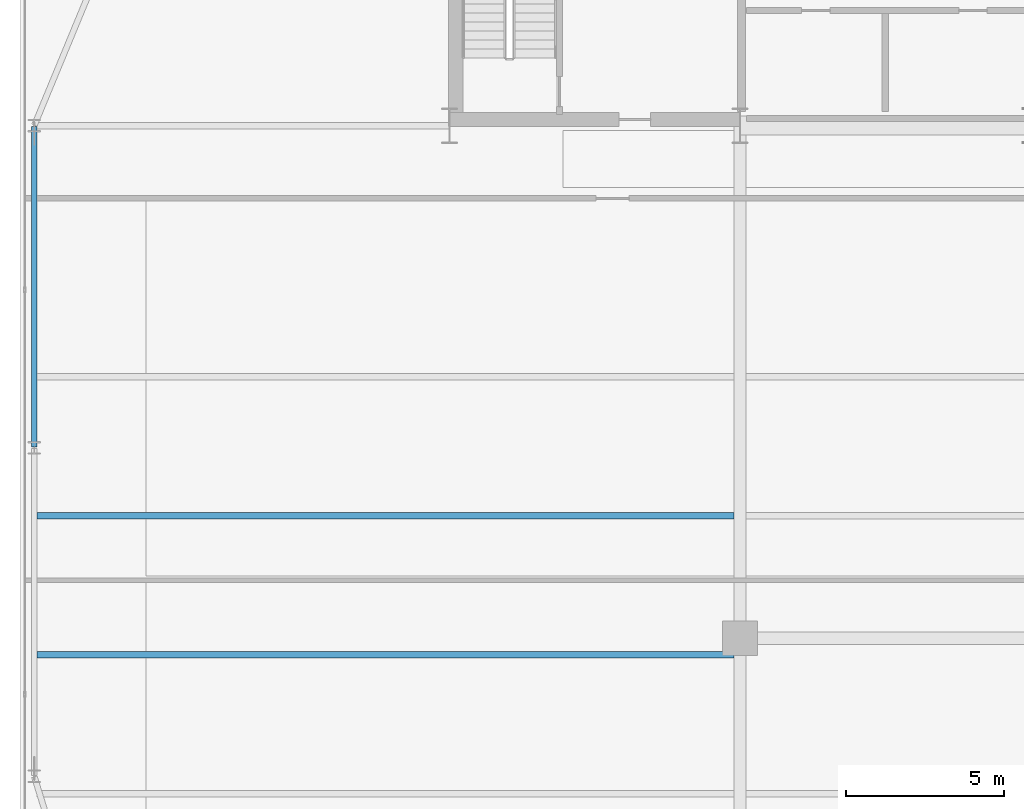
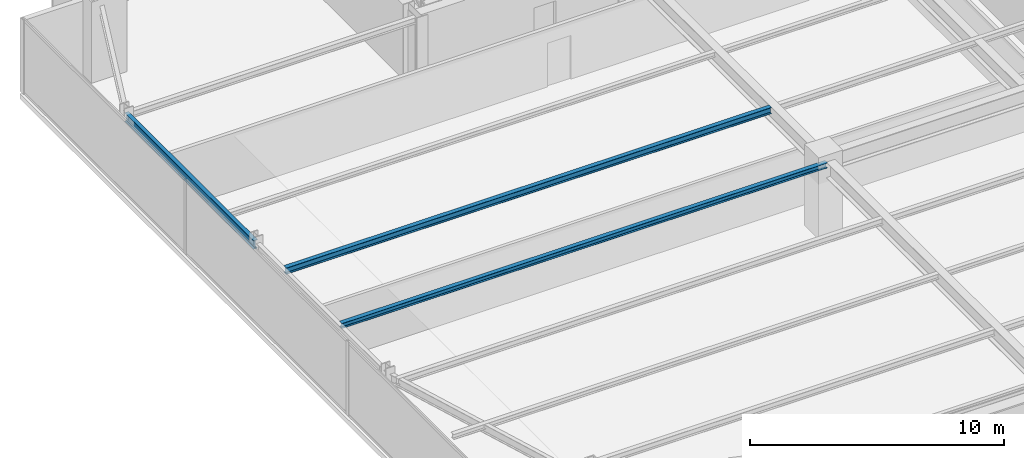
# One storey, part 9 of 32: 3 beams.
"""IFC4 building model written with IfcOpenShell, lengths in metres."""

from ifc_helpers import new_model, si_unit, direction, frame, origin, origin_2d, place, context, subcontext, project, spatial, i_section, extrude, source, transform, mapped, material, material_profile, profile_set, type_object, type_shapes, element, save


model = new_model("IFC4")

# Units and contexts
model_context = context("Model", 3, precision=1e-05, world=origin(), true_north=direction((0.0, 1.0)))
body_context = subcontext(model_context, "Body", "Model", "MODEL_VIEW")
ifc_project = project(units=[si_unit("LENGTHUNIT", "METRE"), si_unit("AREAUNIT", "SQUARE_METRE"), si_unit("VOLUMEUNIT", "CUBIC_METRE"), si_unit("PLANEANGLEUNIT", "RADIAN"), si_unit("MASSUNIT", "GRAM", prefix="KILO")], contexts=[model_context])

# Site, building, storey
site_placement = place(None, origin())
site = spatial("IfcSite", under=ifc_project, at=site_placement, CompositionType="ELEMENT")
building_placement = place(site_placement, origin())
building = spatial("IfcBuilding", under=site, at=building_placement, Name="Varnel Quay Broadcast Tower", CompositionType="ELEMENT")
storey_placement = place(building_placement, frame((0.0, 0.0, 78.300048828125)))
storey = spatial("IfcBuildingStorey", under=building, at=storey_placement, Name="L18", CompositionType="ELEMENT", Elevation=78.300048828125)

# Beams
ifc_material = material(Name="Structural Steel CSA G40.21 350W", Category="steel")
ifc_material_profile_1 = material_profile(ifc_material, i_section(OverallWidth=0.180908203125, OverallDepth=0.4169921875, WebThickness=0.010986328125, FlangeThickness=0.018310546875, FilletRadius=0.011962890625, at=origin_2d()), Name="W410X85")
ifc_profile_set_1 = profile_set([ifc_material_profile_1], Name="Structural Steel CSA G40.21 350W")
beam_type_1 = type_object("IfcBeamType", Name="Beam_W410X85", PredefinedType="SPANDREL", material=ifc_profile_set_1)
shared_shape_1 = source(origin(), body_context, "Body", "SweptSolid", [
    extrude(i_section(OverallWidth=0.180908203125, OverallDepth=0.4169921875, WebThickness=0.010986328125, FlangeThickness=0.018310546875, FilletRadius=0.011962890625, at=origin_2d()), origin(), (0.0, 0.0, 1.0), 10.16015625),
])
type_shapes(beam_type_1, [shared_shape_1])
beam_1_placement = place(storey_placement, frame((2.449951171875, 25.419921875, 3.371337890625), z_axis=(0.0, 1.0, 0.0), x_axis=(-1.0, 0.0, 0.0)))
element("IfcBeam", 1, at=beam_1_placement, inside=storey, type_object=beam_type_1, Name="L18 West Spandrel TC-W2-TC-W3", PredefinedType="SPANDREL", context=body_context, shape_type="MappedRepresentation", body=[
    mapped(shared_shape_1, transform((0.0, 0.0, 0.0), x_axis=(1.0, 0.0, 0.0), y_axis=(0.0, 1.0, 0.0), z_axis=(0.0, 0.0, 1.0), scale=1.0)),
])
ifc_material_profile_2 = material_profile(ifc_material, i_section(OverallWidth=0.202880859375, OverallDepth=0.302978515625, WebThickness=0.007568359375, FlangeThickness=0.01318359375, FilletRadius=0.011962890625, at=origin_2d()), Name="W310X60")
ifc_profile_set_2 = profile_set([ifc_material_profile_2], Name="Structural Steel CSA G40.21 350W")
beam_type_2 = type_object("IfcBeamType", Name="Beam_W310X60", PredefinedType="JOIST", material=ifc_profile_set_2)
shared_shape_2 = source(origin(), body_context, "Body", "SweptSolid", [
    extrude(i_section(OverallWidth=0.202880859375, OverallDepth=0.302978515625, WebThickness=0.007568359375, FlangeThickness=0.01318359375, FilletRadius=0.011962890625, at=origin_2d()), origin(), (0.0, 0.0, 1.0), 22.0791015625),
])
type_shapes(beam_type_2, [shared_shape_2])
beam_2_placement = place(storey_placement, frame((2.535400390625, 23.25, 3.428466796875), z_axis=(1.0, 0.0, 0.0), x_axis=(0.0, 1.0, 0.0)))
element("IfcBeam", 2, at=beam_2_placement, inside=storey, type_object=beam_type_2, Name="L18 West Floor Joist 5", PredefinedType="JOIST", context=body_context, shape_type="MappedRepresentation", body=[
    mapped(shared_shape_2, transform((0.0, 0.0, 0.0), x_axis=(1.0, 0.0, 0.0), y_axis=(0.0, 1.0, 0.0), z_axis=(0.0, 0.0, 1.0), scale=1.0)),
])
ifc_material_profile_3 = material_profile(ifc_material, i_section(OverallWidth=0.201904296875, OverallDepth=0.2470703125, WebThickness=0.00732421875, FlangeThickness=0.010986328125, FilletRadius=0.010986328125, at=origin_2d()), Name="W250X49")
ifc_profile_set_3 = profile_set([ifc_material_profile_3], Name="Structural Steel CSA G40.21 350W")
beam_type_3 = type_object("IfcBeamType", Name="Beam_W250X49", PredefinedType="JOIST", material=ifc_profile_set_3)
shared_shape_3 = source(origin(), body_context, "Body", "SweptSolid", [
    extrude(i_section(OverallWidth=0.201904296875, OverallDepth=0.2470703125, WebThickness=0.00732421875, FlangeThickness=0.010986328125, FilletRadius=0.010986328125, at=origin_2d()), origin(), (0.0, 0.0, 1.0), 22.0791015625),
])
type_shapes(beam_type_3, [shared_shape_3])
beam_3_placement = place(storey_placement, frame((2.535400390625, 18.85009765625, 3.45654296875), z_axis=(1.0, 0.0, 0.0), x_axis=(0.0, 1.0, 0.0)))
element("IfcBeam", 3, at=beam_3_placement, inside=storey, type_object=beam_type_3, Name="L18 West Floor Joist 4", PredefinedType="JOIST", context=body_context, shape_type="MappedRepresentation", body=[
    mapped(shared_shape_3, transform((0.0, 0.0, 0.0), x_axis=(1.0, 0.0, 0.0), y_axis=(0.0, 1.0, 0.0), z_axis=(0.0, 0.0, 1.0), scale=1.0)),
])

save(model, "model.ifc")
